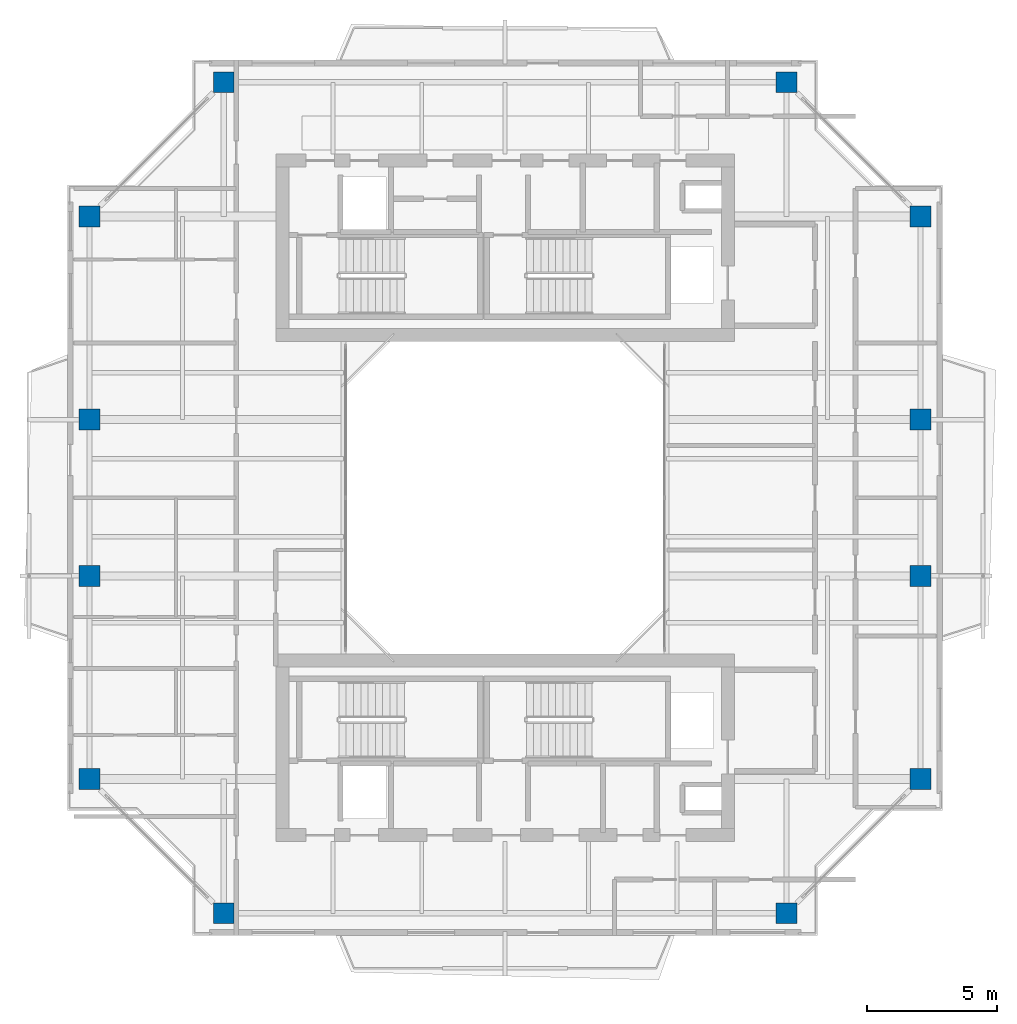
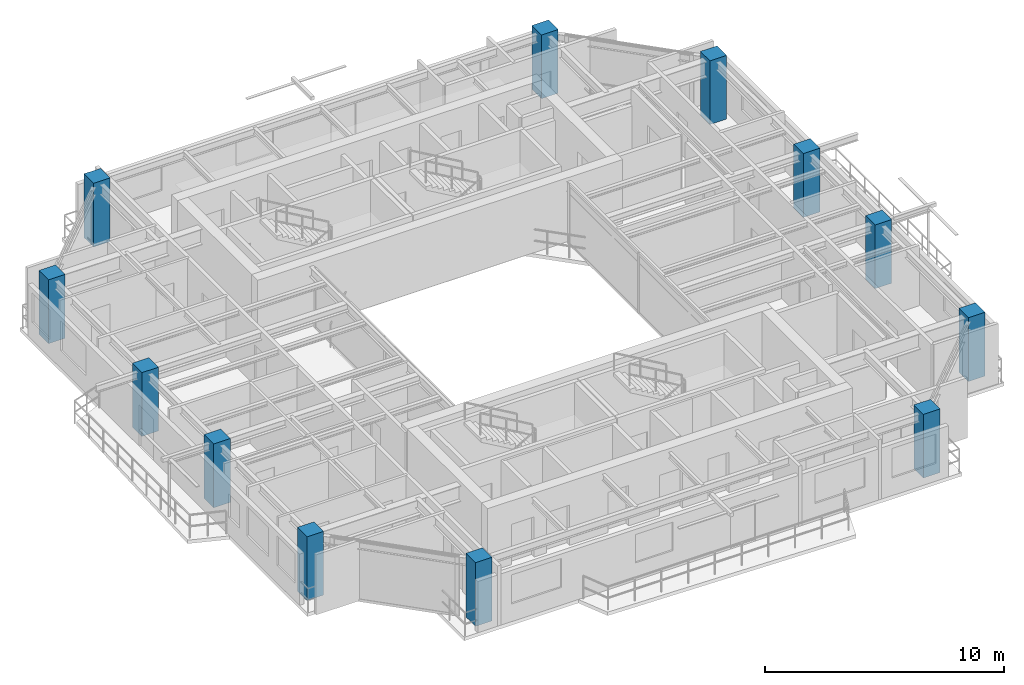
# One storey, part 1 of 16: 12 columns.
"""IFC4 building model written with IfcOpenShell, lengths in metres."""

from ifc_helpers import new_model, si_unit, direction, frame, origin, origin_2d, place, context, subcontext, project, spatial, rectangle, extrude, source, transform, mapped, material, material_profile, profile_set, type_object, element, save


model = new_model("IFC4")

# Units and contexts
model_context = context("Model", 3, precision=1e-05, world=origin(), true_north=direction((0.0, 1.0)))
body_context = subcontext(model_context, "Body", "Model", "MODEL_VIEW")
ifc_project = project(units=[si_unit("LENGTHUNIT", "METRE"), si_unit("AREAUNIT", "SQUARE_METRE"), si_unit("VOLUMEUNIT", "CUBIC_METRE"), si_unit("PLANEANGLEUNIT", "RADIAN"), si_unit("MASSUNIT", "GRAM", prefix="KILO"), si_unit("THERMODYNAMICTEMPERATUREUNIT", "KELVIN"), si_unit("POWERUNIT", "WATT")], contexts=[model_context])

# Site, building, storey
site_placement = place(None, origin())
site = spatial("IfcSite", under=ifc_project, at=site_placement, CompositionType="ELEMENT")
building_placement = place(site_placement, origin())
building = spatial("IfcBuilding", under=site, at=building_placement, Name="Qiaomeng Ring Towers", CompositionType="ELEMENT")
storey_placement = place(building_placement, frame((0.0, 0.0, 210.0)))
storey = spatial("IfcBuildingStorey", under=building, at=storey_placement, Name="L61", CompositionType="ELEMENT", Elevation=210.0)

# Columns
ifc_material = material(Name="Concrete C40", Category="concrete")
ifc_material_profile = material_profile(ifc_material, rectangle(XDim=0.800048828125, YDim=0.800048828125, at=origin_2d()), Name="RC COL 800x800")
ifc_profile_set = profile_set([ifc_material_profile], Name="Concrete C40")
column_type = type_object("IfcColumnType", Name="STR-COL-800-C40", PredefinedType="COLUMN", material=ifc_profile_set)
shared_shape = source(origin(), body_context, "Body", "SweptSolid", [
    extrude(rectangle(XDim=0.800048828125, YDim=0.800048828125, at=origin_2d()), origin(), (0.0, 0.0, 1.0), 3.25),
])
for number, where, z_axis, x_axis, name in (
    (1, (8.199951171875, 7.050048828125, 0.0), (0.0, 0.0, 1.0), (1.0, 0.0, 0.0), "L61 column STR-COL-L61-T1-S1"),
    (2, (29.800048828125, 7.050048828125, 0.0), (0.0, 0.0, 1.0), (1.0, 0.0, 0.0), "L61 column STR-COL-L61-T1-S2"),
    (3, (34.949951171875, 12.199951171875, 0.0), (0.0, 0.0, 1.0), (1.0, 0.0, 0.0), "L61 column STR-COL-L61-T1-E1"),
    (4, (34.949951171875, 20.0, 0.0), (0.0, 0.0, 1.0), (1.0, 0.0, 0.0), "L61 column STR-COL-L61-T1-E2"),
    (5, (34.949951171875, 26.0, 0.0), (0.0, 0.0, 1.0), (1.0, 0.0, 0.0), "L61 column STR-COL-L61-T1-E3"),
    (6, (34.949951171875, 33.800048828125, 0.0), (0.0, 0.0, 1.0), (1.0, 0.0, 0.0), "L61 column STR-COL-L61-T1-E4"),
    (7, (29.800048828125, 38.949951171875, 0.0), (0.0, 0.0, 1.0), (1.0, 0.0, 0.0), "L61 column STR-COL-L61-T1-N2"),
    (8, (8.199951171875, 38.949951171875, 0.0), (0.0, 0.0, 1.0), (1.0, 0.0, 0.0), "L61 column STR-COL-L61-T1-N1"),
    (9, (3.050048828125, 33.800048828125, 0.0), (0.0, 0.0, 1.0), (1.0, 0.0, 0.0), "L61 column STR-COL-L61-T1-W4"),
    (10, (3.050048828125, 26.0, 0.0), (0.0, 0.0, 1.0), (1.0, 0.0, 0.0), "L61 column STR-COL-L61-T1-W3"),
    (11, (3.050048828125, 20.0, 0.0), (0.0, 0.0, 1.0), (1.0, 0.0, 0.0), "L61 column STR-COL-L61-T1-W2"),
    (12, (3.050048828125, 12.199951171875, 0.0), (0.0, 0.0, 1.0), (1.0, 0.0, 0.0), "L61 column STR-COL-L61-T1-W1"),
):
    element("IfcColumn", number, at=place(storey_placement, frame(where, z_axis=z_axis, x_axis=x_axis)), inside=storey, type_object=column_type, Name=name, PredefinedType="COLUMN", context=body_context, shape_type="MappedRepresentation", body=[
        mapped(shared_shape, transform((0.0, 0.0, 0.0), x_axis=(1.0, 0.0, 0.0), y_axis=(0.0, 1.0, 0.0), z_axis=(0.0, 0.0, 1.0), scale=1.0)),
    ])

save(model, "model.ifc")
